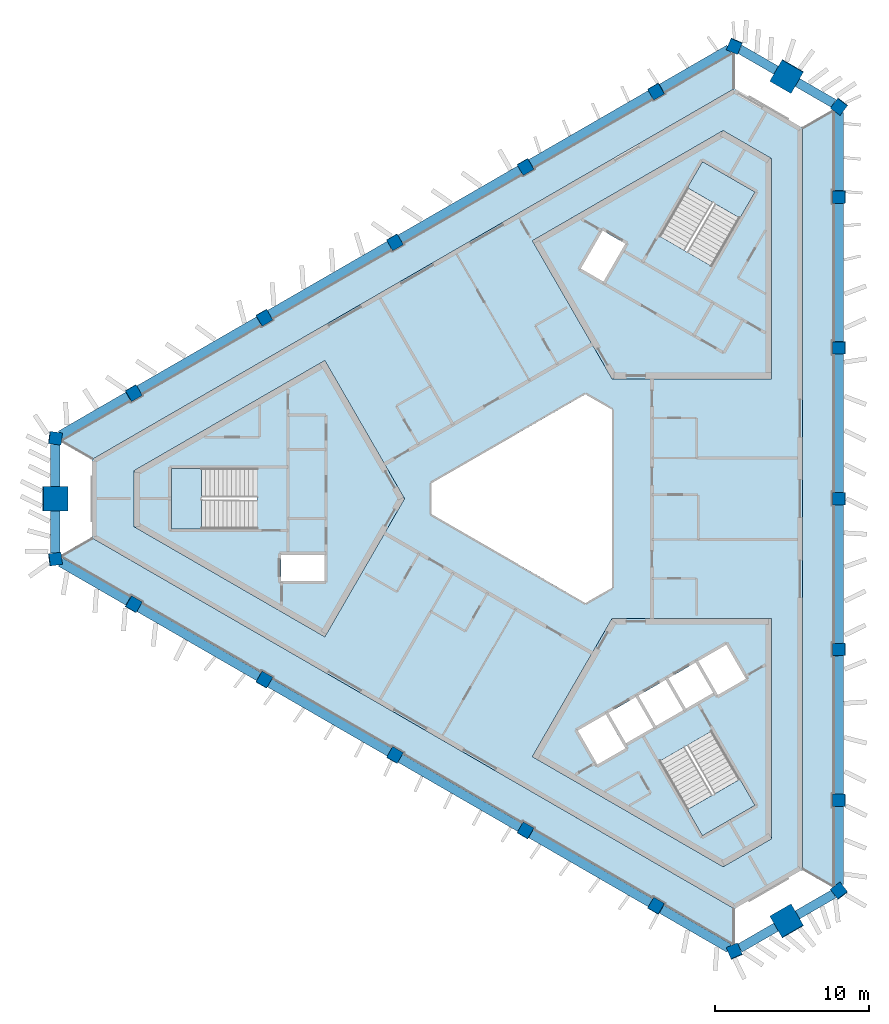
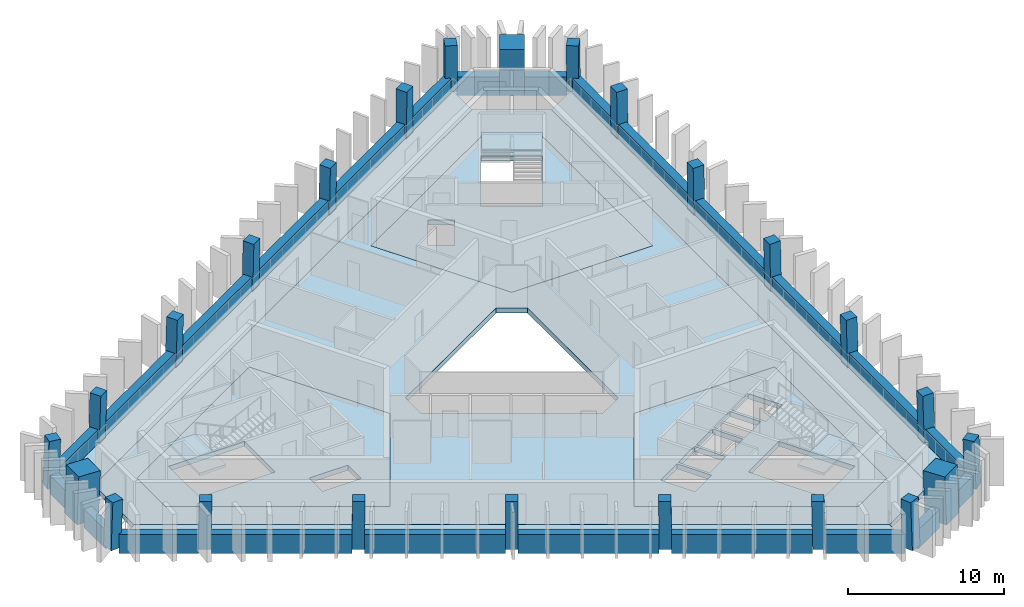
# One storey, part 1 of 10: 24 beams, 24 columns, 10 slabs, 3 elements without a shape of their own.
"""IFC4 building model written with IfcOpenShell, lengths in metres."""

from ifc_helpers import new_model, si_unit, direction, frame, origin, origin_2d, place, context, subcontext, project, spatial, polyline, rectangle, outline, extrude, material, layer, layer_set, material_profile, profile_set, type_object, element, aggregate, save


model = new_model("IFC4")

# Units and contexts
model_context = context("Model", 3, precision=1e-05, world=origin(), true_north=direction((0.0, 1.0)))
body_context = subcontext(model_context, "Body", "Model", "MODEL_VIEW")
ifc_project = project(units=[si_unit("LENGTHUNIT", "METRE"), si_unit("AREAUNIT", "SQUARE_METRE"), si_unit("VOLUMEUNIT", "CUBIC_METRE"), si_unit("PLANEANGLEUNIT", "RADIAN"), si_unit("MASSUNIT", "GRAM", prefix="KILO")], contexts=[model_context])

# Site, building, storey
site_placement = place(None, origin())
site = spatial("IfcSite", under=ifc_project, at=site_placement, CompositionType="ELEMENT")
building_placement = place(site_placement, origin())
building = spatial("IfcBuilding", under=site, at=building_placement, Name="Jabali Bay Hotel Tower and Convention Centre", CompositionType="ELEMENT")
storey_placement = place(building_placement, frame((0.0, 0.0, 266.39990234375)))
storey = spatial("IfcBuildingStorey", under=building, at=storey_placement, Name="L65", CompositionType="ELEMENT", Elevation=266.39990234375)

# Columns
ifc_material_1 = material(Name="Concrete C60", Category="concrete")
ifc_material_profile_1 = material_profile(ifc_material_1, rectangle(XDim=0.800048828125, YDim=0.800048828125, at=origin_2d()), Name="Frame column 800")
ifc_profile_set_1 = profile_set([ifc_material_profile_1], Name="Concrete C60")
column_type_1 = type_object("IfcColumnType", Name="Frame column 800", PredefinedType="COLUMN", material=ifc_profile_set_1)
column_1_placement = place(storey_placement, frame((82.3681640625, 106.513671875, 0.0), z_axis=(-0.008375902173, -0.028161497857, 0.999568293966), x_axis=(0.865852192858, 0.499844650908, 0.02133787902)))
element("IfcColumn", 1, at=column_1_placement, inside=storey, type_object=column_type_1, Name="FC6 F1.1 L65", PredefinedType="COLUMN", context=body_context, shape_type="SweptSolid", body=[
    extrude(rectangle(XDim=0.800048828125, YDim=0.800048828125, at=origin_2d()), origin(), (0.0, 0.0, 1.0), 3.701904296875),
])
column_2_placement = place(storey_placement, frame((73.86474609375, 101.60400390625, 0.0), z_axis=(0.000857523651, -0.022757358423, 0.999740650014), x_axis=(0.86600583099, 0.499920748346, 0.010637013881)))
element("IfcColumn", 2, at=column_2_placement, inside=storey, type_object=column_type_1, Name="FC6 F1.2 L65", PredefinedType="COLUMN", context=body_context, shape_type="SweptSolid", body=[
    extrude(rectangle(XDim=0.800048828125, YDim=0.800048828125, at=origin_2d()), origin(), (0.0, 0.0, 1.0), 3.701171875),
])
column_3_placement = place(storey_placement, frame((65.361328125, 96.694580078125, 0.0), z_axis=(0.010092954999, -0.017481261926, 0.999796248113), x_axis=(-0.499897099477, 0.865849541015, 0.020185694417)))
element("IfcColumn", 3, at=column_3_placement, inside=storey, type_object=column_type_1, Name="FC6 F1.3 L65", PredefinedType="COLUMN", context=body_context, shape_type="SweptSolid", body=[
    extrude(rectangle(XDim=0.800048828125, YDim=0.800048828125, at=origin_2d()), origin(), (0.0, 0.0, 1.0), 3.700927734375),
])
column_4_placement = place(storey_placement, frame((56.85791015625, 91.78515625, 0.0), z_axis=(0.019327242333, -0.012137244332, 0.999739538582), x_axis=(-0.500208874039, 0.865669601935, 0.020179757644)))
element("IfcColumn", 4, at=column_4_placement, inside=storey, type_object=column_type_1, Name="FC6 F1.4 L65", PredefinedType="COLUMN", context=body_context, shape_type="SweptSolid", body=[
    extrude(rectangle(XDim=0.800048828125, YDim=0.800048828125, at=origin_2d()), origin(), (0.0, 0.0, 1.0), 3.701171875),
])
for number, where, z_axis, x_axis, name in (
    (5, (48.3544921875, 86.875732421875, 0.0), (0.028557232129, -0.006793059837, 0.999569076568), (-0.500407681469, 0.865554719029, 0.0201787188), "FC6 F1.5 L65"),
    (6, (48.3544921875, 73.124267578125, 0.0), (0.028557232129, 0.006793059837, 0.999569076568), (-0.865318806464, 0.500768292431, 0.021318547709), "FC6 F2.1 L65"),
):
    element("IfcColumn", number, at=place(storey_placement, frame(where, z_axis=z_axis, x_axis=x_axis)), inside=storey, type_object=column_type_1, Name=name, PredefinedType="COLUMN", context=body_context, shape_type="SweptSolid", body=[
        extrude(rectangle(XDim=0.800048828125, YDim=0.800048828125, at=origin_2d()), origin(), (0.0, 0.0, 1.0), 3.701904296875),
    ])
column_5_placement = place(storey_placement, frame((56.85791015625, 68.21484375, 0.0), z_axis=(0.019327242333, 0.012137244332, 0.999739538582), x_axis=(-0.865689055052, 0.500468607992, 0.010659848856)))
element("IfcColumn", 7, at=column_5_placement, inside=storey, type_object=column_type_1, Name="FC6 F2.2 L65", PredefinedType="COLUMN", context=body_context, shape_type="SweptSolid", body=[
    extrude(rectangle(XDim=0.800048828125, YDim=0.800048828125, at=origin_2d()), origin(), (0.0, 0.0, 1.0), 3.701171875),
])
column_6_placement = place(storey_placement, frame((65.361328125, 63.305419921875, 0.0), z_axis=(0.010092954999, 0.017481261926, 0.999796248113), x_axis=(-0.866025993948, 0.499998977805, 1.48321e-07)))
element("IfcColumn", 8, at=column_6_placement, inside=storey, type_object=column_type_1, Name="FC6 F2.3 L65", PredefinedType="COLUMN", context=body_context, shape_type="SweptSolid", body=[
    extrude(rectangle(XDim=0.800048828125, YDim=0.800048828125, at=origin_2d()), origin(), (0.0, 0.0, 1.0), 3.700927734375),
])
column_7_placement = place(storey_placement, frame((73.86474609375, 58.39599609375, 0.0), z_axis=(0.000857523651, 0.022757358423, 0.999740650014), x_axis=(-0.500033164245, -0.865772110899, 0.020136698957)))
element("IfcColumn", 9, at=column_7_placement, inside=storey, type_object=column_type_1, Name="FC6 F2.4 L65", PredefinedType="COLUMN", context=body_context, shape_type="SweptSolid", body=[
    extrude(rectangle(XDim=0.800048828125, YDim=0.800048828125, at=origin_2d()), origin(), (0.0, 0.0, 1.0), 3.701171875),
])
for number, where, z_axis, x_axis, name in (
    (10, (82.3681640625, 53.486328125, 0.0), (-0.008375902173, 0.028161497857, 0.999568293966), (-0.50022977159, -0.865657123229, 0.020197044776), "FC6 F2.5 L65"),
    (11, (94.27734375, 60.362060546875, 0.0), (-0.020181300839, 0.021368436182, 0.999567959186), (-0.001315263592, -0.99977127817, 0.021346227466), "FC6 F0.1 L65"),
):
    element("IfcColumn", number, at=place(storey_placement, frame(where, z_axis=z_axis, x_axis=x_axis)), inside=storey, type_object=column_type_1, Name=name, PredefinedType="COLUMN", context=body_context, shape_type="SweptSolid", body=[
        extrude(rectangle(XDim=0.800048828125, YDim=0.800048828125, at=origin_2d()), origin(), (0.0, 0.0, 1.0), 3.701904296875),
    ])
column_8_placement = place(storey_placement, frame((94.27734375, 70.18115234375, 0.0), z_axis=(-0.02018477153, 0.01062009221, 0.999739860484), x_axis=(0.00153278272, -0.999942078412, 0.010653187262)))
element("IfcColumn", 12, at=column_8_placement, inside=storey, type_object=column_type_1, Name="FC6 F0.2 L65", PredefinedType="COLUMN", context=body_context, shape_type="SweptSolid", body=[
    extrude(rectangle(XDim=0.800048828125, YDim=0.800048828125, at=origin_2d()), origin(), (0.0, 0.0, 1.0), 3.701171875),
])
column_9_placement = place(storey_placement, frame((94.27734375, 80.0, 0.0), z_axis=(-0.02018590991, 0.0, 0.999796243762), x_axis=(0.0, -1.0, 0.0)))
element("IfcColumn", 13, at=column_9_placement, inside=storey, type_object=column_type_1, Name="FC6 F0.3 L65", PredefinedType="COLUMN", context=body_context, shape_type="SweptSolid", body=[
    extrude(rectangle(XDim=0.800048828125, YDim=0.800048828125, at=origin_2d()), origin(), (0.0, 0.0, 1.0), 3.700927734375),
])
column_10_placement = place(storey_placement, frame((94.27734375, 89.81884765625, 0.0), z_axis=(-0.02018477153, -0.01062009221, 0.999739860484), x_axis=(0.999795091794, -0.001747416133, 0.020167324102)))
element("IfcColumn", 14, at=column_10_placement, inside=storey, type_object=column_type_1, Name="FC6 F0.4 L65", PredefinedType="COLUMN", context=body_context, shape_type="SweptSolid", body=[
    extrude(rectangle(XDim=0.800048828125, YDim=0.800048828125, at=origin_2d()), origin(), (0.0, 0.0, 1.0), 3.701171875),
])
column_11_placement = place(storey_placement, frame((94.27734375, 99.637939453125, 0.0), z_axis=(-0.020181300839, -0.021368436182, 0.999567959186), x_axis=(0.999795471673, 0.000883900706, 0.020204790061)))
element("IfcColumn", 15, at=column_11_placement, inside=storey, type_object=column_type_1, Name="FC6 F0.5 L65", PredefinedType="COLUMN", context=body_context, shape_type="SweptSolid", body=[
    extrude(rectangle(XDim=0.800048828125, YDim=0.800048828125, at=origin_2d()), origin(), (0.0, 0.0, 1.0), 3.701904296875),
])
for number, where, z_axis, x_axis, name in (
    (16, (94.27734375, 54.475830078125, 0.0), (-0.020177412175, 0.029013272408, 0.999375355941), (-0.798091298772, -0.602534959407, 0.00137895518), "FC6 V0 L65"),
    (17, (94.27734375, 105.524169921875, 0.0), (-0.020177412175, -0.029013272408, 0.999375355941), (0.602198597526, 0.797564952037, 0.035312836483), "FC6 V1 L65"),
    (18, (87.4658203125, 109.456787109375, 0.0), (-0.014968226677, -0.031980572415, 0.999376403153), (0.921546252413, -0.388266153992, 0.001377798536), "FC6 V2 L65"),
    (19, (43.2568359375, 83.9326171875, 0.0), (0.035145708895, -0.002967273734, 0.999377793646), (-0.99179456146, 0.122887818003, 0.03524389371), "FC6 V3 L65"),
    (20, (43.2568359375, 76.0673828125, 0.0), (0.035145708895, 0.002967273734, 0.999377793646), (-0.122915934702, 0.992416132211, 0.001376053526), "FC6 V4 L65"),
    (21, (87.4658203125, 50.543212890625, 0.0), (-0.014968226677, 0.031980572415, 0.999376403153), (0.387979969656, -0.920992202276, 0.035283232463), "FC6 V5 L65"),
):
    element("IfcColumn", number, at=place(storey_placement, frame(where, z_axis=z_axis, x_axis=x_axis)), inside=storey, type_object=column_type_1, Name=name, PredefinedType="COLUMN", context=body_context, shape_type="SweptSolid", body=[
        extrude(rectangle(XDim=0.800048828125, YDim=0.800048828125, at=origin_2d()), origin(), (0.0, 0.0, 1.0), 3.702392578125),
    ])
ifc_material_2 = material(Name="Concrete C70", Category="concrete")
ifc_material_profile_2 = material_profile(ifc_material_2, rectangle(XDim=1.60009765625, YDim=1.60009765625, at=origin_2d()), Name="Mega column 1600")
ifc_profile_set_2 = profile_set([ifc_material_profile_2], Name="Concrete C70")
column_type_2 = type_object("IfcColumnType", Name="Mega column 1600", PredefinedType="COLUMN", material=ifc_profile_set_2)
for number, where, z_axis, x_axis, name in (
    (22, (90.87158203125, 107.490478515625, 0.0), (-0.017605877014, -0.030464101799, 0.99938079409), (0.86581098392, -0.500371202332, 2.456e-09), "MC6 M1 L65"),
    (23, (43.2568359375, 80.0, 0.0), (0.03514586362, 0.0, 0.999382193293), (0.0, 1.0, 0.0), "MC6 M0 L65"),
    (24, (90.87158203125, 52.509521484375, 0.0), (-0.017605877014, 0.030464101799, 0.99938079409), (0.500061369451, -0.865274868686, 0.035185627803), "MC6 M2 L65"),
):
    element("IfcColumn", number, at=place(storey_placement, frame(where, z_axis=z_axis, x_axis=x_axis)), inside=storey, type_object=column_type_2, Name=name, PredefinedType="COLUMN", context=body_context, shape_type="SweptSolid", body=[
        extrude(rectangle(XDim=1.60009765625, YDim=1.60009765625, at=origin_2d()), origin(), (0.0, 0.0, 1.0), 3.702392578125),
    ])

# Beams
ifc_material_profile_3 = material_profile(ifc_material_1, rectangle(XDim=0.60009765625, YDim=1.449951171875, at=origin_2d()), Name="Spandrel 600x1450")
ifc_profile_set_3 = profile_set([ifc_material_profile_3], Name="Concrete C60")
beam_type = type_object("IfcBeamType", Name="Spandrel 600x1450", PredefinedType="SPANDREL", material=ifc_profile_set_3)
beam_1_placement = place(storey_placement, frame((90.172119140625, 107.879150390625, 0.375), z_axis=(-0.866023343127, 0.500003569146, 0.0), x_axis=(-0.500003569146, -0.866023343127, 0.0)))
element("IfcBeam", 25, at=beam_1_placement, inside=storey, type_object=beam_type, Name="Spandrel M1-V2 L65", PredefinedType="SPANDREL", context=body_context, shape_type="SweptSolid", body=[
    extrude(rectangle(XDim=0.60009765625, YDim=1.449951171875, at=origin_2d()), origin(), (0.0, 0.0, 1.0), 2.7314453125),
])
beam_2_placement = place(storey_placement, frame((87.11376953125, 109.244873046875, 0.375), z_axis=(-0.866020829696, -0.500007922469, 0.0), x_axis=(0.500007922469, -0.866020829696, 0.0)))
element("IfcBeam", 26, at=beam_2_placement, inside=storey, type_object=beam_type, Name="Spandrel V2-F1.1 L65", PredefinedType="SPANDREL", context=body_context, shape_type="SweptSolid", body=[
    extrude(rectangle(XDim=0.60009765625, YDim=1.449951171875, at=origin_2d()), origin(), (0.0, 0.0, 1.0), 5.08349609375),
])
beam_3_placement = place(storey_placement, frame((82.0185546875, 106.302978515625, 0.375), z_axis=(-0.866031348181, -0.499989703862, 0.0), x_axis=(0.499989703862, -0.866031348181, 0.0)))
element("IfcBeam", 27, at=beam_3_placement, inside=storey, type_object=beam_type, Name="Spandrel F1.1-F1.2 L65", PredefinedType="SPANDREL", context=body_context, shape_type="SweptSolid", body=[
    extrude(rectangle(XDim=0.60009765625, YDim=1.449951171875, at=origin_2d()), origin(), (0.0, 0.0, 1.0), 9.014892578125),
])
beam_4_placement = place(storey_placement, frame((73.518798828125, 101.3955078125, 0.375), z_axis=(-0.866038118188, -0.49997797736, 0.0), x_axis=(0.49997797736, -0.866038118188, 0.0)))
element("IfcBeam", 28, at=beam_4_placement, inside=storey, type_object=beam_type, Name="Spandrel F1.2-F1.3 L65", PredefinedType="SPANDREL", context=body_context, shape_type="SweptSolid", body=[
    extrude(rectangle(XDim=0.60009765625, YDim=1.449951171875, at=origin_2d()), origin(), (0.0, 0.0, 1.0), 9.01513671875),
])
for number, where, z_axis, x_axis, name in (
    (29, (65.018798828125, 96.488037109375, 0.375), (-0.866031348181, -0.499989703862, 0.0), (0.499989703862, -0.866031348181, 0.0), "Spandrel F1.3-F1.4 L65"),
    (30, (56.518798828125, 91.58056640625, 0.375), (-0.866031348181, -0.499989703862, 0.0), (0.499989703862, -0.866031348181, 0.0), "Spandrel F1.4-F1.5 L65"),
):
    element("IfcBeam", number, at=place(storey_placement, frame(where, z_axis=z_axis, x_axis=x_axis)), inside=storey, type_object=beam_type, Name=name, PredefinedType="SPANDREL", context=body_context, shape_type="SweptSolid", body=[
        extrude(rectangle(XDim=0.60009765625, YDim=1.449951171875, at=origin_2d()), origin(), (0.0, 0.0, 1.0), 9.014892578125),
    ])
beam_5_placement = place(storey_placement, frame((48.018798828125, 86.673095703125, 0.375), z_axis=(-0.866020829696, -0.500007922469, 0.0), x_axis=(0.500007922469, -0.866020829696, 0.0)))
element("IfcBeam", 31, at=beam_5_placement, inside=storey, type_object=beam_type, Name="Spandrel F1.5-V3 L65", PredefinedType="SPANDREL", context=body_context, shape_type="SweptSolid", body=[
    extrude(rectangle(XDim=0.60009765625, YDim=1.449951171875, at=origin_2d()), origin(), (0.0, 0.0, 1.0), 5.08349609375),
])
for number, where, z_axis, x_axis, name in (
    (32, (43.27001953125, 83.531494140625, 0.375), (0.0, -1.0, 0.0), (1.0, 0.0, 0.0), "Spandrel V3-M0 L65"),
    (33, (43.27001953125, 79.199951171875, 0.375), (0.0, -1.0, 0.0), (1.0, 0.0, 0.0), "Spandrel M0-V4 L65"),
):
    element("IfcBeam", number, at=place(storey_placement, frame(where, z_axis=z_axis, x_axis=x_axis)), inside=storey, type_object=beam_type, Name=name, PredefinedType="SPANDREL", context=body_context, shape_type="SweptSolid", body=[
        extrude(rectangle(XDim=0.60009765625, YDim=1.449951171875, at=origin_2d()), origin(), (0.0, 0.0, 1.0), 2.7314453125),
    ])
beam_6_placement = place(storey_placement, frame((43.616455078125, 75.86865234375, 0.375), z_axis=(0.866020829696, -0.500007922469, 0.0), x_axis=(0.500007922469, 0.866020829696, 0.0)))
element("IfcBeam", 34, at=beam_6_placement, inside=storey, type_object=beam_type, Name="Spandrel V4-F2.1 L65", PredefinedType="SPANDREL", context=body_context, shape_type="SweptSolid", body=[
    extrude(rectangle(XDim=0.60009765625, YDim=1.449951171875, at=origin_2d()), origin(), (0.0, 0.0, 1.0), 5.08349609375),
])
for number, where, z_axis, x_axis, name in (
    (35, (48.711669921875, 72.9267578125, 0.375), (0.866031348181, -0.499989703862, 0.0), (0.499989703862, 0.866031348181, 0.0), "Spandrel F2.1-F2.2 L65"),
    (36, (57.211669921875, 68.019287109375, 0.375), (0.866031348181, -0.499989703862, 0.0), (0.499989703862, 0.866031348181, 0.0), "Spandrel F2.2-F2.3 L65"),
):
    element("IfcBeam", number, at=place(storey_placement, frame(where, z_axis=z_axis, x_axis=x_axis)), inside=storey, type_object=beam_type, Name=name, PredefinedType="SPANDREL", context=body_context, shape_type="SweptSolid", body=[
        extrude(rectangle(XDim=0.60009765625, YDim=1.449951171875, at=origin_2d()), origin(), (0.0, 0.0, 1.0), 9.014892578125),
    ])
beam_7_placement = place(storey_placement, frame((65.71142578125, 63.11181640625, 0.375), z_axis=(0.866038118188, -0.49997797736, 0.0), x_axis=(0.49997797736, 0.866038118188, 0.0)))
element("IfcBeam", 37, at=beam_7_placement, inside=storey, type_object=beam_type, Name="Spandrel F2.3-F2.4 L65", PredefinedType="SPANDREL", context=body_context, shape_type="SweptSolid", body=[
    extrude(rectangle(XDim=0.60009765625, YDim=1.449951171875, at=origin_2d()), origin(), (0.0, 0.0, 1.0), 9.01513671875),
])
beam_8_placement = place(storey_placement, frame((74.21142578125, 58.204345703125, 0.375), z_axis=(0.866031348181, -0.499989703862, 0.0), x_axis=(0.499989703862, 0.866031348181, 0.0)))
element("IfcBeam", 38, at=beam_8_placement, inside=storey, type_object=beam_type, Name="Spandrel F2.4-F2.5 L65", PredefinedType="SPANDREL", context=body_context, shape_type="SweptSolid", body=[
    extrude(rectangle(XDim=0.60009765625, YDim=1.449951171875, at=origin_2d()), origin(), (0.0, 0.0, 1.0), 9.014892578125),
])
beam_9_placement = place(storey_placement, frame((82.71142578125, 53.296875, 0.375), z_axis=(0.866020829696, -0.500007922469, 0.0), x_axis=(0.500007922469, 0.866020829696, 0.0)))
element("IfcBeam", 39, at=beam_9_placement, inside=storey, type_object=beam_type, Name="Spandrel F2.5-V5 L65", PredefinedType="SPANDREL", context=body_context, shape_type="SweptSolid", body=[
    extrude(rectangle(XDim=0.60009765625, YDim=1.449951171875, at=origin_2d()), origin(), (0.0, 0.0, 1.0), 5.08349609375),
])
for number, where, z_axis, x_axis, name in (
    (40, (87.806640625, 50.755126953125, 0.375), (0.866023343127, 0.500003569146, 0.0), (-0.500003569146, 0.866023343127, 0.0), "Spandrel V5-M2 L65"),
    (41, (91.557861328125, 52.9208984375, 0.375), (0.866023343127, 0.500003569146, 0.0), (-0.500003569146, 0.866023343127, 0.0), "Spandrel M2-V0 L65"),
):
    element("IfcBeam", number, at=place(storey_placement, frame(where, z_axis=z_axis, x_axis=x_axis)), inside=storey, type_object=beam_type, Name=name, PredefinedType="SPANDREL", context=body_context, shape_type="SweptSolid", body=[
        extrude(rectangle(XDim=0.60009765625, YDim=1.449951171875, at=origin_2d()), origin(), (0.0, 0.0, 1.0), 2.7314453125),
    ])
beam_10_placement = place(storey_placement, frame((94.269775390625, 54.88671875, 0.375), z_axis=(0.0, 1.0, 0.0), x_axis=(-1.0, 0.0, 0.0)))
element("IfcBeam", 42, at=beam_10_placement, inside=storey, type_object=beam_type, Name="Spandrel V0-F0.1 L65", PredefinedType="SPANDREL", context=body_context, shape_type="SweptSolid", body=[
    extrude(rectangle(XDim=0.60009765625, YDim=1.449951171875, at=origin_2d()), origin(), (0.0, 0.0, 1.0), 5.08349609375),
])
beam_11_placement = place(storey_placement, frame((94.269775390625, 60.770263671875, 0.375), z_axis=(0.0, 1.0, 0.0), x_axis=(-1.0, 0.0, 0.0)))
element("IfcBeam", 43, at=beam_11_placement, inside=storey, type_object=beam_type, Name="Spandrel F0.1-F0.2 L65", PredefinedType="SPANDREL", context=body_context, shape_type="SweptSolid", body=[
    extrude(rectangle(XDim=0.60009765625, YDim=1.449951171875, at=origin_2d()), origin(), (0.0, 0.0, 1.0), 9.014892578125),
])
for number, where, z_axis, x_axis, name in (
    (44, (94.269775390625, 70.5849609375, 0.375), (0.0, 1.0, 0.0), (-1.0, 0.0, 0.0), "Spandrel F0.2-F0.3 L65"),
    (45, (94.269775390625, 80.39990234375, 0.375), (0.0, 1.0, 0.0), (-1.0, 0.0, 0.0), "Spandrel F0.3-F0.4 L65"),
):
    element("IfcBeam", number, at=place(storey_placement, frame(where, z_axis=z_axis, x_axis=x_axis)), inside=storey, type_object=beam_type, Name=name, PredefinedType="SPANDREL", context=body_context, shape_type="SweptSolid", body=[
        extrude(rectangle(XDim=0.60009765625, YDim=1.449951171875, at=origin_2d()), origin(), (0.0, 0.0, 1.0), 9.01513671875),
    ])
beam_12_placement = place(storey_placement, frame((94.269775390625, 90.21484375, 0.375), z_axis=(0.0, 1.0, 0.0), x_axis=(-1.0, 0.0, 0.0)))
element("IfcBeam", 46, at=beam_12_placement, inside=storey, type_object=beam_type, Name="Spandrel F0.4-F0.5 L65", PredefinedType="SPANDREL", context=body_context, shape_type="SweptSolid", body=[
    extrude(rectangle(XDim=0.60009765625, YDim=1.449951171875, at=origin_2d()), origin(), (0.0, 0.0, 1.0), 9.014892578125),
])
beam_13_placement = place(storey_placement, frame((94.269775390625, 100.02978515625, 0.375), z_axis=(0.0, 1.0, 0.0), x_axis=(-1.0, 0.0, 0.0)))
element("IfcBeam", 47, at=beam_13_placement, inside=storey, type_object=beam_type, Name="Spandrel F0.5-V1 L65", PredefinedType="SPANDREL", context=body_context, shape_type="SweptSolid", body=[
    extrude(rectangle(XDim=0.60009765625, YDim=1.449951171875, at=origin_2d()), origin(), (0.0, 0.0, 1.0), 5.08349609375),
])
beam_14_placement = place(storey_placement, frame((93.92333984375, 105.71337890625, 0.375), z_axis=(-0.866023343127, 0.500003569146, 0.0), x_axis=(-0.500003569146, -0.866023343127, 0.0)))
element("IfcBeam", 48, at=beam_14_placement, inside=storey, type_object=beam_type, Name="Spandrel V1-M1 L65", PredefinedType="SPANDREL", context=body_context, shape_type="SweptSolid", body=[
    extrude(rectangle(XDim=0.60009765625, YDim=1.449951171875, at=origin_2d()), origin(), (0.0, 0.0, 1.0), 2.7314453125),
])

# Slabs
ifc_material_3 = material(Name="Concrete C40", Category="concrete")
ifc_layer_1 = layer(ifc_material_3, 0.39990234375)
ifc_layer_set_1 = layer_set([ifc_layer_1], Name="Concrete C40")
slab_type_1 = type_object("IfcSlabType", Name="Core floor slab 400", PredefinedType="FLOOR", material=ifc_layer_set_1)
slab_1_placement = place(storey_placement, frame((0.0, 0.0, -0.39990234375)))
element("IfcSlab", 49, at=slab_1_placement, inside=storey, type_object=slab_type_1, Name="Core floor slab 1 L65", PredefinedType="FLOOR", context=body_context, shape_type="SweptSolid", body=[
    extrude(outline(polyline([(66.0, 80.0), (60.81005859375, 88.9892578125), (48.39697265625, 81.82275390625), (48.39697265625, 78.17724609375), (60.81005859375, 71.0107421875), (66.0, 80.0)]), holes=[polyline([(60.800048828125, 76.35009765625), (57.949951171875, 76.35009765625), (57.949951171875, 74.64990234375), (60.800048828125, 74.64990234375), (60.800048828125, 76.35009765625)]), polyline([(50.820068359375, 81.97509765625), (50.820068359375, 78.02490234375), (56.409912109375, 78.02490234375), (56.409912109375, 81.97509765625), (50.820068359375, 81.97509765625)])]), origin(), (0.0, 0.0, 1.0), 0.39990234375),
])
slab_2_placement = place(storey_placement, frame((0.0, 0.0, -0.39990234375)))
element("IfcSlab", 50, at=slab_2_placement, inside=storey, type_object=slab_type_1, Name="Core floor slab 2 L65", PredefinedType="FLOOR", context=body_context, shape_type="SweptSolid", body=[
    extrude(outline(polyline([(79.5, 87.794189453125), (89.8798828125, 87.794189453125), (89.8798828125, 102.127685546875), (86.72314453125, 103.9501953125), (74.31005859375, 96.78369140625), (79.5, 87.794189453125)]), holes=[polyline([(78.93896484375, 94.12255859375), (80.364013671875, 96.5908203125), (78.891845703125, 97.440673828125), (77.466796875, 94.97265625), (78.93896484375, 94.12255859375)]), polyline([(88.80029296875, 99.952880859375), (85.379638671875, 101.927978515625), (82.584716796875, 97.0869140625), (86.00537109375, 95.11181640625), (88.80029296875, 99.952880859375)])]), origin(), (0.0, 0.0, 1.0), 0.39990234375),
])
slab_3_placement = place(storey_placement, frame((0.0, 0.0, -0.39990234375)))
element("IfcSlab", 51, at=slab_3_placement, inside=storey, type_object=slab_type_1, Name="Core floor slab 3 L65", PredefinedType="FLOOR", context=body_context, shape_type="SweptSolid", body=[
    extrude(outline(polyline([(79.5, 72.205810546875), (74.31005859375, 63.21630859375), (86.72314453125, 56.0498046875), (89.8798828125, 57.872314453125), (89.8798828125, 72.205810546875), (79.5, 72.205810546875)]), holes=[polyline([(82.584716796875, 62.9130859375), (85.379638671875, 58.072021484375), (88.80029296875, 60.047119140625), (86.00537109375, 64.88818359375), (82.584716796875, 62.9130859375)]), polyline([(80.365478515625, 63.756591796875), (79.090576171875, 65.96484375), (77.27197265625, 64.9150390625), (78.546875, 62.70654296875), (80.365478515625, 63.756591796875)]), polyline([(82.17919921875, 65.115478515625), (81.0390625, 67.08984375), (79.263671875, 66.06494140625), (80.40380859375, 64.09033203125), (82.17919921875, 65.115478515625)]), polyline([(82.98779296875, 68.21484375), (81.21240234375, 67.18994140625), (82.352294921875, 65.21533203125), (84.127685546875, 66.240478515625), (82.98779296875, 68.21484375)]), polyline([(86.076171875, 67.365478515625), (84.936279296875, 69.33984375), (83.160888671875, 68.31494140625), (84.30078125, 66.34033203125), (86.076171875, 67.365478515625)]), polyline([(88.203125, 68.281494140625), (86.927978515625, 70.489990234375), (85.109375, 69.43994140625), (86.384521484375, 67.231689453125), (88.203125, 68.281494140625)])]), origin(), (0.0, 0.0, 1.0), 0.39990234375),
])
ifc_layer_2 = layer(ifc_material_3, 0.199951171875)
ifc_layer_set_2 = layer_set([ifc_layer_2], Name="Concrete C40")
slab_type_2 = type_object("IfcSlabType", Name="Loggia slab 200", PredefinedType="FLOOR", material=ifc_layer_set_2)
slab_4_placement = place(storey_placement, frame((0.0, 0.0, -0.199951171875)))
element("IfcSlab", 52, at=slab_4_placement, inside=storey, type_object=slab_type_2, Name="Loggia slab east face L65", PredefinedType="FLOOR", context=body_context, shape_type="SweptSolid", body=[
    extrude(outline(polyline([(91.87744140625, 104.138671875), (93.901123046875, 105.30712890625), (93.977294921875, 105.24951171875), (93.977294921875, 100.037841796875), (93.87744140625, 100.037841796875), (93.87744140625, 99.23779296875), (93.977294921875, 99.23779296875), (93.977294921875, 90.218994140625), (93.87744140625, 90.218994140625), (93.87744140625, 89.4189453125), (93.977294921875, 89.4189453125), (93.977294921875, 80.39990234375), (93.87744140625, 80.39990234375), (93.87744140625, 79.60009765625), (93.977294921875, 79.60009765625), (93.977294921875, 70.5810546875), (93.87744140625, 70.5810546875), (93.87744140625, 69.781005859375), (93.977294921875, 69.781005859375), (93.977294921875, 60.76220703125), (93.87744140625, 60.76220703125), (93.87744140625, 59.962158203125), (93.977294921875, 59.962158203125), (93.977294921875, 54.75048828125), (93.901123046875, 54.69287109375), (91.87744140625, 55.861328125), (91.87744140625, 104.138671875)])), origin(), (0.0, 0.0, 1.0), 0.199951171875),
])
slab_5_placement = place(storey_placement, frame((0.0, 0.0, -0.199951171875)))
element("IfcSlab", 53, at=slab_5_placement, inside=storey, type_object=slab_type_2, Name="Loggia slab north-west face L65", PredefinedType="FLOOR", context=body_context, shape_type="SweptSolid", body=[
    extrude(outline(polyline([(45.65673828125, 82.546875), (43.6328125, 83.71533203125), (43.64453125, 83.81005859375), (48.157958984375, 86.416015625), (48.2080078125, 86.329345703125), (48.90087890625, 86.729248046875), (48.850830078125, 86.81591796875), (56.661376953125, 91.325439453125), (56.71142578125, 91.23876953125), (57.404296875, 91.638671875), (57.354248046875, 91.725341796875), (65.1650390625, 96.23486328125), (65.21484375, 96.148193359375), (65.90771484375, 96.54833984375), (65.857666015625, 96.634765625), (73.66845703125, 101.144287109375), (73.71826171875, 101.0576171875), (74.4111328125, 101.457763671875), (74.361083984375, 101.54443359375), (82.171875, 106.0537109375), (82.2216796875, 105.96728515625), (82.91455078125, 106.3671875), (82.864501953125, 106.453857421875), (87.3779296875, 109.0595703125), (87.4658203125, 109.0224609375), (87.4658203125, 106.685546875), (45.65673828125, 82.546875)])), origin(), (0.0, 0.0, 1.0), 0.199951171875),
])
slab_6_placement = place(storey_placement, frame((0.0, 0.0, -0.199951171875)))
element("IfcSlab", 54, at=slab_6_placement, inside=storey, type_object=slab_type_2, Name="Loggia slab south-west face L65", PredefinedType="FLOOR", context=body_context, shape_type="SweptSolid", body=[
    extrude(outline(polyline([(87.4658203125, 53.314453125), (87.4658203125, 50.9775390625), (87.3779296875, 50.9404296875), (82.864501953125, 53.546142578125), (82.91455078125, 53.6328125), (82.2216796875, 54.03271484375), (82.171875, 53.9462890625), (74.361083984375, 58.45556640625), (74.4111328125, 58.542236328125), (73.71826171875, 58.9423828125), (73.66845703125, 58.855712890625), (65.857666015625, 63.365234375), (65.90771484375, 63.45166015625), (65.21484375, 63.851806640625), (65.1650390625, 63.76513671875), (57.354248046875, 68.274658203125), (57.404296875, 68.361328125), (56.71142578125, 68.76123046875), (56.661376953125, 68.674560546875), (48.850830078125, 73.18408203125), (48.90087890625, 73.270751953125), (48.2080078125, 73.670654296875), (48.157958984375, 73.583984375), (43.64453125, 76.18994140625), (43.6328125, 76.28466796875), (45.65673828125, 77.453125), (87.4658203125, 53.314453125)])), origin(), (0.0, 0.0, 1.0), 0.199951171875),
])
ifc_layer_3 = layer(ifc_material_3, 0.39990234375)
ifc_layer_set_3 = layer_set([ifc_layer_3], Name="Concrete C40")
slab_type_3 = type_object("IfcSlabType", Name="Post-tensioned flat slab 400", PredefinedType="FLOOR", material=ifc_layer_set_3)
slab_7_placement = place(storey_placement, frame((0.0, 0.0, -0.39990234375)))
element("IfcSlab", 55, at=slab_7_placement, inside=storey, type_object=slab_type_3, Name="Floor slab L65", PredefinedType="FLOOR", context=body_context, shape_type="SweptSolid", body=[
    extrude(outline(polyline([(87.4658203125, 106.685546875), (91.87744140625, 104.138671875), (91.87744140625, 55.861328125), (87.4658203125, 53.314453125), (45.65673828125, 77.453125), (45.65673828125, 82.546875), (87.4658203125, 106.685546875)]), holes=[polyline([(67.73193359375, 79.0), (77.76806640625, 73.205810546875), (79.5, 74.205810546875), (79.5, 85.794189453125), (77.76806640625, 86.794189453125), (67.73193359375, 81.0), (67.73193359375, 79.0)]), polyline([(48.39697265625, 78.17724609375), (60.81005859375, 71.0107421875), (66.0, 80.0), (60.81005859375, 88.9892578125), (48.39697265625, 81.82275390625), (48.39697265625, 78.17724609375)]), polyline([(89.8798828125, 102.127685546875), (86.72314453125, 103.9501953125), (74.31005859375, 96.78369140625), (79.5, 87.794189453125), (89.8798828125, 87.794189453125), (89.8798828125, 102.127685546875)]), polyline([(74.31005859375, 63.21630859375), (86.72314453125, 56.0498046875), (89.8798828125, 57.872314453125), (89.8798828125, 72.205810546875), (79.5, 72.205810546875), (74.31005859375, 63.21630859375)])]), origin(), (0.0, 0.0, 1.0), 0.39990234375),
])

# Stair, slab
stair_type = type_object("IfcStairType", Name="Exit stair 1900", PredefinedType="HALF_TURN_STAIR", material=ifc_material_3)
stair_1_placement = place(storey_placement, origin())
stair_1 = element("IfcStair", 56, at=stair_1_placement, inside=storey, type_object=stair_type, Name="L65 Exit Stair 1", PredefinedType="HALF_TURN_STAIR")
ifc_layer_4 = layer(ifc_material_3, 0.199951171875)
ifc_layer_set_4 = layer_set([ifc_layer_4], Name="Concrete C40")
slab_type_4 = type_object("IfcSlabType", Name="Stair landing 200", PredefinedType="LANDING", material=ifc_layer_set_4)
slab_8_placement = place(storey_placement, frame((0.0, 0.0, 1.650146484375)))
slab_8 = element("IfcSlab", 57, at=slab_8_placement, type_object=slab_type_4, Name="ST1 landing 1", PredefinedType="LANDING", context=body_context, shape_type="SweptSolid", body=[
    extrude(outline(polyline([(52.782958984375, 81.97509765625), (50.820068359375, 81.97509765625), (50.820068359375, 78.02490234375), (52.782958984375, 78.02490234375), (52.782958984375, 81.97509765625)])), origin(), (0.0, 0.0, 1.0), 0.199951171875),
])
aggregate(stair_1, [slab_8])

stair_2_placement = place(storey_placement, origin())
stair_2 = element("IfcStair", 58, at=stair_2_placement, inside=storey, type_object=stair_type, Name="L65 Exit Stair 2", PredefinedType="HALF_TURN_STAIR")
slab_9_placement = place(storey_placement, frame((0.0, 0.0, 1.650146484375)))
slab_9 = element("IfcSlab", 59, at=slab_9_placement, type_object=slab_type_4, Name="ST2 landing 1", PredefinedType="LANDING", context=body_context, shape_type="SweptSolid", body=[
    extrude(outline(polyline([(87.81884765625, 98.2529296875), (88.80029296875, 99.952880859375), (85.379638671875, 101.927978515625), (84.398193359375, 100.22802734375), (87.81884765625, 98.2529296875)])), origin(), (0.0, 0.0, 1.0), 0.199951171875),
])
aggregate(stair_2, [slab_9])

stair_3_placement = place(storey_placement, origin())
stair_3 = element("IfcStair", 60, at=stair_3_placement, inside=storey, type_object=stair_type, Name="L65 Exit Stair 3", PredefinedType="HALF_TURN_STAIR")
slab_10_placement = place(storey_placement, frame((0.0, 0.0, 1.650146484375)))
slab_10 = element("IfcSlab", 61, at=slab_10_placement, type_object=slab_type_4, Name="ST3 landing 1", PredefinedType="LANDING", context=body_context, shape_type="SweptSolid", body=[
    extrude(outline(polyline([(84.398193359375, 59.77197265625), (85.379638671875, 58.072021484375), (88.80029296875, 60.047119140625), (87.81884765625, 61.7470703125), (84.398193359375, 59.77197265625)])), origin(), (0.0, 0.0, 1.0), 0.199951171875),
])
aggregate(stair_3, [slab_10])

save(model, "model.ifc")
